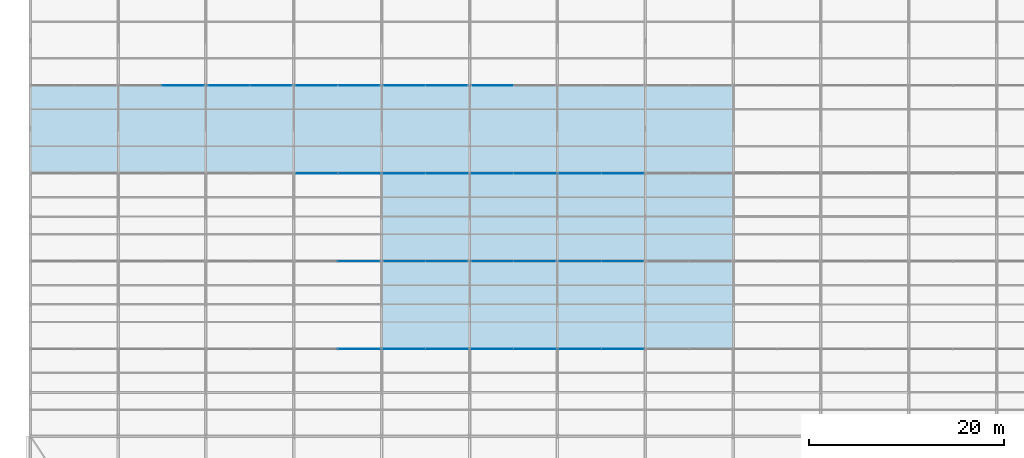
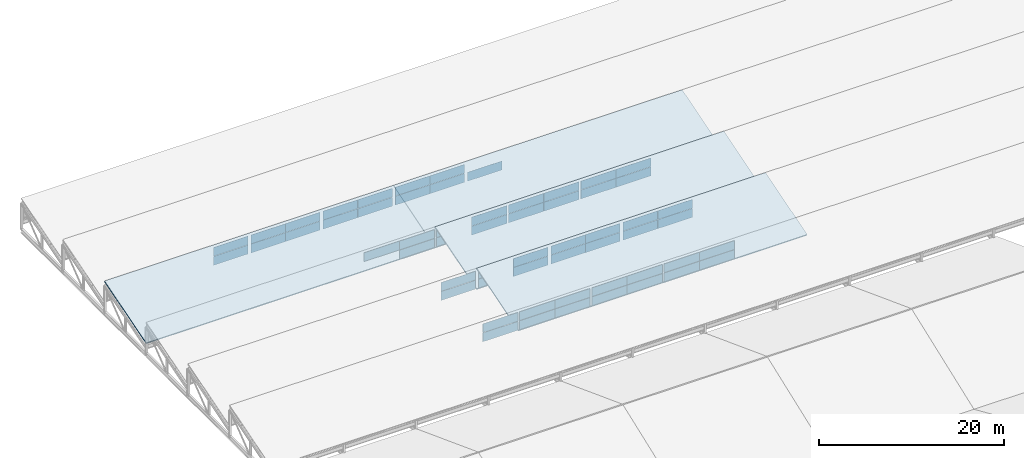
# One storey, part 110 of 163: 58 plates, 4 slabs, 17 elements without a shape of their own.
"""IFC4 building model written with IfcOpenShell, lengths in metres."""

from ifc_helpers import new_model, si_unit, direction, frame, origin, origin_2d, place, context, subcontext, project, spatial, polyline, rectangle, outline, extrude, material, layer, layer_set, type_object, element, aggregate, save


model = new_model("IFC4")

# Units and contexts
model_context = context("Model", 3, precision=1e-05, world=origin(), true_north=direction((0.0, 1.0)))
body_context = subcontext(model_context, "Body", "Model", "MODEL_VIEW")
ifc_project = project(units=[si_unit("LENGTHUNIT", "METRE"), si_unit("AREAUNIT", "SQUARE_METRE"), si_unit("VOLUMEUNIT", "CUBIC_METRE"), si_unit("PLANEANGLEUNIT", "RADIAN"), si_unit("MASSUNIT", "GRAM", prefix="KILO")], contexts=[model_context])

# Site, building, storey
site_placement = place(None, origin())
site = spatial("IfcSite", under=ifc_project, at=site_placement, CompositionType="ELEMENT")
building_placement = place(site_placement, origin())
building = spatial("IfcBuilding", under=site, at=building_placement, Name="Tharagai Park Tramway Depot", CompositionType="ELEMENT")
storey_placement = place(building_placement, frame((0.0, 0.0, 8.39990234375)))
storey = spatial("IfcBuildingStorey", under=building, at=storey_placement, Name="L02", CompositionType="ELEMENT", Elevation=8.39990234375)

# Curtain wall, plates
ifc_material_1 = material(Name="Anodised aluminium", Category="aluminium")
curtain_wall_type_1 = type_object("IfcCurtainWallType", Name="CW-04", PredefinedType="NOTDEFINED", material=ifc_material_1)
curtain_wall_1_placement = place(storey_placement, origin())
curtain_wall_1 = element("IfcCurtainWall", 1, at=curtain_wall_1_placement, inside=storey, type_object=curtain_wall_type_1, Name="Sawtooth North-Light Clerestory CW-04", PredefinedType="NOTDEFINED")
ifc_material_2 = material(Name="Laminated solar-control glass", Category="glass")
ifc_layer_1 = layer(ifc_material_2, 0.028076171875)
ifc_layer_set_1 = layer_set([ifc_layer_1], Name="Laminated solar-control glass")
plate_type = type_object("IfcPlateType", Name="CP-02", PredefinedType="CURTAIN_PANEL", material=ifc_layer_set_1)
plate_1_placement = place(storey_placement, frame((33.699951171875, 98.919921875, 1.28515625), z_axis=(0.0, 0.0, 1.0), x_axis=(1.0, 0.0, 0.0)))
plate_1 = element("IfcPlate", 2, at=plate_1_placement, type_object=plate_type, Name="Sawtooth North-Light Clerestory Glazed Panel 2.1", PredefinedType="CURTAIN_PANEL", context=body_context, shape_type="SweptSolid", body=[
    extrude(rectangle(XDim=4.3798828125, YDim=0.028076171875, at=origin_2d()), origin(), (0.0, 0.0, 1.0), 1.168701171875),
])
plate_2_placement = place(storey_placement, frame((33.699951171875, 98.919921875, 2.49365234375), z_axis=(0.0, 0.0, 1.0), x_axis=(1.0, 0.0, 0.0)))
plate_2 = element("IfcPlate", 3, at=plate_2_placement, type_object=plate_type, Name="Sawtooth North-Light Clerestory Glazed Panel 2.2", PredefinedType="CURTAIN_PANEL", context=body_context, shape_type="SweptSolid", body=[
    extrude(rectangle(XDim=4.3798828125, YDim=0.028076171875, at=origin_2d()), origin(), (0.0, 0.0, 1.0), 1.148681640625),
])
aggregate(curtain_wall_1, [plate_1, plate_2])

curtain_wall_2_placement = place(storey_placement, origin())
curtain_wall_2 = element("IfcCurtainWall", 4, at=curtain_wall_2_placement, inside=storey, type_object=curtain_wall_type_1, Name="Sawtooth North-Light Clerestory CW-04", PredefinedType="NOTDEFINED")
plate_3_placement = place(storey_placement, frame((38.300048828125, 98.919921875, 1.28515625), z_axis=(0.0, 0.0, 1.0), x_axis=(1.0, 0.0, 0.0)))
plate_3 = element("IfcPlate", 5, at=plate_3_placement, type_object=plate_type, Name="Sawtooth North-Light Clerestory Glazed Panel 1.1", PredefinedType="CURTAIN_PANEL", context=body_context, shape_type="SweptSolid", body=[
    extrude(rectangle(XDim=4.3798828125, YDim=0.028076171875, at=origin_2d()), origin(), (0.0, 0.0, 1.0), 1.168701171875),
])
plate_4_placement = place(storey_placement, frame((38.300048828125, 98.919921875, 2.49365234375), z_axis=(0.0, 0.0, 1.0), x_axis=(1.0, 0.0, 0.0)))
plate_4 = element("IfcPlate", 6, at=plate_4_placement, type_object=plate_type, Name="Sawtooth North-Light Clerestory Glazed Panel 1.2", PredefinedType="CURTAIN_PANEL", context=body_context, shape_type="SweptSolid", body=[
    extrude(rectangle(XDim=4.3798828125, YDim=0.028076171875, at=origin_2d()), origin(), (0.0, 0.0, 1.0), 1.148681640625),
])
plate_5_placement = place(storey_placement, frame((42.699951171875, 98.919921875, 1.28515625), z_axis=(0.0, 0.0, 1.0), x_axis=(1.0, 0.0, 0.0)))
plate_5 = element("IfcPlate", 7, at=plate_5_placement, type_object=plate_type, Name="Sawtooth North-Light Clerestory Glazed Panel 2.1", PredefinedType="CURTAIN_PANEL", context=body_context, shape_type="SweptSolid", body=[
    extrude(rectangle(XDim=4.3798828125, YDim=0.028076171875, at=origin_2d()), origin(), (0.0, 0.0, 1.0), 1.168701171875),
])
plate_6_placement = place(storey_placement, frame((42.699951171875, 98.919921875, 2.49365234375), z_axis=(0.0, 0.0, 1.0), x_axis=(1.0, 0.0, 0.0)))
plate_6 = element("IfcPlate", 8, at=plate_6_placement, type_object=plate_type, Name="Sawtooth North-Light Clerestory Glazed Panel 2.2", PredefinedType="CURTAIN_PANEL", context=body_context, shape_type="SweptSolid", body=[
    extrude(rectangle(XDim=4.3798828125, YDim=0.028076171875, at=origin_2d()), origin(), (0.0, 0.0, 1.0), 1.148681640625),
])
aggregate(curtain_wall_2, [plate_3, plate_4, plate_5, plate_6])

curtain_wall_3_placement = place(storey_placement, origin())
curtain_wall_3 = element("IfcCurtainWall", 9, at=curtain_wall_3_placement, inside=storey, type_object=curtain_wall_type_1, Name="Sawtooth North-Light Clerestory CW-04", PredefinedType="NOTDEFINED")
plate_7_placement = place(storey_placement, frame((47.300048828125, 98.919921875, 1.28515625), z_axis=(0.0, 0.0, 1.0), x_axis=(1.0, 0.0, 0.0)))
plate_7 = element("IfcPlate", 10, at=plate_7_placement, type_object=plate_type, Name="Sawtooth North-Light Clerestory Glazed Panel 1.1", PredefinedType="CURTAIN_PANEL", context=body_context, shape_type="SweptSolid", body=[
    extrude(rectangle(XDim=4.3798828125, YDim=0.028076171875, at=origin_2d()), origin(), (0.0, 0.0, 1.0), 1.168701171875),
])
plate_8_placement = place(storey_placement, frame((47.300048828125, 98.919921875, 2.49365234375), z_axis=(0.0, 0.0, 1.0), x_axis=(1.0, 0.0, 0.0)))
plate_8 = element("IfcPlate", 11, at=plate_8_placement, type_object=plate_type, Name="Sawtooth North-Light Clerestory Glazed Panel 1.2", PredefinedType="CURTAIN_PANEL", context=body_context, shape_type="SweptSolid", body=[
    extrude(rectangle(XDim=4.3798828125, YDim=0.028076171875, at=origin_2d()), origin(), (0.0, 0.0, 1.0), 1.148681640625),
])
plate_9_placement = place(storey_placement, frame((51.699951171875, 98.919921875, 1.28515625), z_axis=(0.0, 0.0, 1.0), x_axis=(1.0, 0.0, 0.0)))
plate_9 = element("IfcPlate", 12, at=plate_9_placement, type_object=plate_type, Name="Sawtooth North-Light Clerestory Glazed Panel 2.1", PredefinedType="CURTAIN_PANEL", context=body_context, shape_type="SweptSolid", body=[
    extrude(rectangle(XDim=4.3798828125, YDim=0.028076171875, at=origin_2d()), origin(), (0.0, 0.0, 1.0), 1.168701171875),
])
plate_10_placement = place(storey_placement, frame((51.699951171875, 98.919921875, 2.49365234375), z_axis=(0.0, 0.0, 1.0), x_axis=(1.0, 0.0, 0.0)))
plate_10 = element("IfcPlate", 13, at=plate_10_placement, type_object=plate_type, Name="Sawtooth North-Light Clerestory Glazed Panel 2.2", PredefinedType="CURTAIN_PANEL", context=body_context, shape_type="SweptSolid", body=[
    extrude(rectangle(XDim=4.3798828125, YDim=0.028076171875, at=origin_2d()), origin(), (0.0, 0.0, 1.0), 1.148681640625),
])
aggregate(curtain_wall_3, [plate_7, plate_8, plate_9, plate_10])

curtain_wall_4_placement = place(storey_placement, origin())
curtain_wall_4 = element("IfcCurtainWall", 14, at=curtain_wall_4_placement, inside=storey, type_object=curtain_wall_type_1, Name="Sawtooth North-Light Clerestory CW-04", PredefinedType="NOTDEFINED")
plate_11_placement = place(storey_placement, frame((56.300048828125, 98.919921875, 1.28515625), z_axis=(0.0, 0.0, 1.0), x_axis=(1.0, 0.0, 0.0)))
plate_11 = element("IfcPlate", 15, at=plate_11_placement, type_object=plate_type, Name="Sawtooth North-Light Clerestory Glazed Panel 1.1", PredefinedType="CURTAIN_PANEL", context=body_context, shape_type="SweptSolid", body=[
    extrude(rectangle(XDim=4.3798828125, YDim=0.028076171875, at=origin_2d()), origin(), (0.0, 0.0, 1.0), 1.168701171875),
])
plate_12_placement = place(storey_placement, frame((56.300048828125, 98.919921875, 2.49365234375), z_axis=(0.0, 0.0, 1.0), x_axis=(1.0, 0.0, 0.0)))
plate_12 = element("IfcPlate", 16, at=plate_12_placement, type_object=plate_type, Name="Sawtooth North-Light Clerestory Glazed Panel 1.2", PredefinedType="CURTAIN_PANEL", context=body_context, shape_type="SweptSolid", body=[
    extrude(rectangle(XDim=4.3798828125, YDim=0.028076171875, at=origin_2d()), origin(), (0.0, 0.0, 1.0), 1.148681640625),
])
plate_13_placement = place(storey_placement, frame((60.699951171875, 98.919921875, 1.28515625), z_axis=(0.0, 0.0, 1.0), x_axis=(1.0, 0.0, 0.0)))
plate_13 = element("IfcPlate", 17, at=plate_13_placement, type_object=plate_type, Name="Sawtooth North-Light Clerestory Glazed Panel 2.1", PredefinedType="CURTAIN_PANEL", context=body_context, shape_type="SweptSolid", body=[
    extrude(rectangle(XDim=4.3798828125, YDim=0.028076171875, at=origin_2d()), origin(), (0.0, 0.0, 1.0), 1.168701171875),
])
plate_14_placement = place(storey_placement, frame((60.699951171875, 98.919921875, 2.49365234375), z_axis=(0.0, 0.0, 1.0), x_axis=(1.0, 0.0, 0.0)))
plate_14 = element("IfcPlate", 18, at=plate_14_placement, type_object=plate_type, Name="Sawtooth North-Light Clerestory Glazed Panel 2.2", PredefinedType="CURTAIN_PANEL", context=body_context, shape_type="SweptSolid", body=[
    extrude(rectangle(XDim=4.3798828125, YDim=0.028076171875, at=origin_2d()), origin(), (0.0, 0.0, 1.0), 1.148681640625),
])
aggregate(curtain_wall_4, [plate_11, plate_12, plate_13, plate_14])

curtain_wall_type_2 = type_object("IfcCurtainWallType", Name="CW-03", PredefinedType="NOTDEFINED", material=ifc_material_1)
curtain_wall_5_placement = place(storey_placement, origin())
curtain_wall_5 = element("IfcCurtainWall", 19, at=curtain_wall_5_placement, inside=storey, type_object=curtain_wall_type_2, Name="Sawtooth North-Light Clerestory CW-03", PredefinedType="NOTDEFINED")
plate_15_placement = place(storey_placement, frame((33.659912109375, 107.919921875, 1.28515625), z_axis=(0.0, 0.0, 1.0), x_axis=(1.0, 0.0, 0.0)))
plate_15 = element("IfcPlate", 20, at=plate_15_placement, type_object=plate_type, Name="Sawtooth North-Light Clerestory Glazed Panel 2.1", PredefinedType="CURTAIN_PANEL", context=body_context, shape_type="SweptSolid", body=[
    extrude(rectangle(XDim=4.300048828125, YDim=0.028076171875, at=origin_2d()), origin(), (0.0, 0.0, 1.0), 1.168701171875),
])
plate_16_placement = place(storey_placement, frame((33.659912109375, 107.919921875, 2.49365234375), z_axis=(0.0, 0.0, 1.0), x_axis=(1.0, 0.0, 0.0)))
plate_16 = element("IfcPlate", 21, at=plate_16_placement, type_object=plate_type, Name="Sawtooth North-Light Clerestory Glazed Panel 2.2", PredefinedType="CURTAIN_PANEL", context=body_context, shape_type="SweptSolid", body=[
    extrude(rectangle(XDim=4.300048828125, YDim=0.028076171875, at=origin_2d()), origin(), (0.0, 0.0, 1.0), 1.148681640625),
])
aggregate(curtain_wall_5, [plate_15, plate_16])

curtain_wall_6_placement = place(storey_placement, origin())
curtain_wall_6 = element("IfcCurtainWall", 22, at=curtain_wall_6_placement, inside=storey, type_object=curtain_wall_type_2, Name="Sawtooth North-Light Clerestory CW-03", PredefinedType="NOTDEFINED")
plate_17_placement = place(storey_placement, frame((38.340087890625, 107.919921875, 1.28515625), z_axis=(0.0, 0.0, 1.0), x_axis=(1.0, 0.0, 0.0)))
plate_17 = element("IfcPlate", 23, at=plate_17_placement, type_object=plate_type, Name="Sawtooth North-Light Clerestory Glazed Panel 1.1", PredefinedType="CURTAIN_PANEL", context=body_context, shape_type="SweptSolid", body=[
    extrude(rectangle(XDim=4.300048828125, YDim=0.028076171875, at=origin_2d()), origin(), (0.0, 0.0, 1.0), 1.168701171875),
])
plate_18_placement = place(storey_placement, frame((38.340087890625, 107.919921875, 2.49365234375), z_axis=(0.0, 0.0, 1.0), x_axis=(1.0, 0.0, 0.0)))
plate_18 = element("IfcPlate", 24, at=plate_18_placement, type_object=plate_type, Name="Sawtooth North-Light Clerestory Glazed Panel 1.2", PredefinedType="CURTAIN_PANEL", context=body_context, shape_type="SweptSolid", body=[
    extrude(rectangle(XDim=4.300048828125, YDim=0.028076171875, at=origin_2d()), origin(), (0.0, 0.0, 1.0), 1.148681640625),
])
plate_19_placement = place(storey_placement, frame((42.659912109375, 107.919921875, 1.28515625), z_axis=(0.0, 0.0, 1.0), x_axis=(1.0, 0.0, 0.0)))
plate_19 = element("IfcPlate", 25, at=plate_19_placement, type_object=plate_type, Name="Sawtooth North-Light Clerestory Glazed Panel 2.1", PredefinedType="CURTAIN_PANEL", context=body_context, shape_type="SweptSolid", body=[
    extrude(rectangle(XDim=4.300048828125, YDim=0.028076171875, at=origin_2d()), origin(), (0.0, 0.0, 1.0), 1.168701171875),
])
plate_20_placement = place(storey_placement, frame((42.659912109375, 107.919921875, 2.49365234375), z_axis=(0.0, 0.0, 1.0), x_axis=(1.0, 0.0, 0.0)))
plate_20 = element("IfcPlate", 26, at=plate_20_placement, type_object=plate_type, Name="Sawtooth North-Light Clerestory Glazed Panel 2.2", PredefinedType="CURTAIN_PANEL", context=body_context, shape_type="SweptSolid", body=[
    extrude(rectangle(XDim=4.300048828125, YDim=0.028076171875, at=origin_2d()), origin(), (0.0, 0.0, 1.0), 1.148681640625),
])
aggregate(curtain_wall_6, [plate_17, plate_18, plate_19, plate_20])

curtain_wall_7_placement = place(storey_placement, origin())
curtain_wall_7 = element("IfcCurtainWall", 27, at=curtain_wall_7_placement, inside=storey, type_object=curtain_wall_type_2, Name="Sawtooth North-Light Clerestory CW-03", PredefinedType="NOTDEFINED")
plate_21_placement = place(storey_placement, frame((47.340087890625, 107.919921875, 1.28515625), z_axis=(0.0, 0.0, 1.0), x_axis=(1.0, 0.0, 0.0)))
plate_21 = element("IfcPlate", 28, at=plate_21_placement, type_object=plate_type, Name="Sawtooth North-Light Clerestory Glazed Panel 1.1", PredefinedType="CURTAIN_PANEL", context=body_context, shape_type="SweptSolid", body=[
    extrude(rectangle(XDim=4.300048828125, YDim=0.028076171875, at=origin_2d()), origin(), (0.0, 0.0, 1.0), 1.168701171875),
])
plate_22_placement = place(storey_placement, frame((47.340087890625, 107.919921875, 2.49365234375), z_axis=(0.0, 0.0, 1.0), x_axis=(1.0, 0.0, 0.0)))
plate_22 = element("IfcPlate", 29, at=plate_22_placement, type_object=plate_type, Name="Sawtooth North-Light Clerestory Glazed Panel 1.2", PredefinedType="CURTAIN_PANEL", context=body_context, shape_type="SweptSolid", body=[
    extrude(rectangle(XDim=4.300048828125, YDim=0.028076171875, at=origin_2d()), origin(), (0.0, 0.0, 1.0), 1.148681640625),
])
plate_23_placement = place(storey_placement, frame((51.659912109375, 107.919921875, 1.28515625), z_axis=(0.0, 0.0, 1.0), x_axis=(1.0, 0.0, 0.0)))
plate_23 = element("IfcPlate", 30, at=plate_23_placement, type_object=plate_type, Name="Sawtooth North-Light Clerestory Glazed Panel 2.1", PredefinedType="CURTAIN_PANEL", context=body_context, shape_type="SweptSolid", body=[
    extrude(rectangle(XDim=4.300048828125, YDim=0.028076171875, at=origin_2d()), origin(), (0.0, 0.0, 1.0), 1.168701171875),
])
plate_24_placement = place(storey_placement, frame((51.659912109375, 107.919921875, 2.49365234375), z_axis=(0.0, 0.0, 1.0), x_axis=(1.0, 0.0, 0.0)))
plate_24 = element("IfcPlate", 31, at=plate_24_placement, type_object=plate_type, Name="Sawtooth North-Light Clerestory Glazed Panel 2.2", PredefinedType="CURTAIN_PANEL", context=body_context, shape_type="SweptSolid", body=[
    extrude(rectangle(XDim=4.300048828125, YDim=0.028076171875, at=origin_2d()), origin(), (0.0, 0.0, 1.0), 1.148681640625),
])
aggregate(curtain_wall_7, [plate_21, plate_22, plate_23, plate_24])

curtain_wall_8_placement = place(storey_placement, origin())
curtain_wall_8 = element("IfcCurtainWall", 32, at=curtain_wall_8_placement, inside=storey, type_object=curtain_wall_type_2, Name="Sawtooth North-Light Clerestory CW-03", PredefinedType="NOTDEFINED")
plate_25_placement = place(storey_placement, frame((56.340087890625, 107.919921875, 1.28515625), z_axis=(0.0, 0.0, 1.0), x_axis=(1.0, 0.0, 0.0)))
plate_25 = element("IfcPlate", 33, at=plate_25_placement, type_object=plate_type, Name="Sawtooth North-Light Clerestory Glazed Panel 1.1", PredefinedType="CURTAIN_PANEL", context=body_context, shape_type="SweptSolid", body=[
    extrude(rectangle(XDim=4.300048828125, YDim=0.028076171875, at=origin_2d()), origin(), (0.0, 0.0, 1.0), 1.168701171875),
])
plate_26_placement = place(storey_placement, frame((56.340087890625, 107.919921875, 2.49365234375), z_axis=(0.0, 0.0, 1.0), x_axis=(1.0, 0.0, 0.0)))
plate_26 = element("IfcPlate", 34, at=plate_26_placement, type_object=plate_type, Name="Sawtooth North-Light Clerestory Glazed Panel 1.2", PredefinedType="CURTAIN_PANEL", context=body_context, shape_type="SweptSolid", body=[
    extrude(rectangle(XDim=4.300048828125, YDim=0.028076171875, at=origin_2d()), origin(), (0.0, 0.0, 1.0), 1.148681640625),
])
plate_27_placement = place(storey_placement, frame((60.659912109375, 107.919921875, 1.28515625), z_axis=(0.0, 0.0, 1.0), x_axis=(1.0, 0.0, 0.0)))
plate_27 = element("IfcPlate", 35, at=plate_27_placement, type_object=plate_type, Name="Sawtooth North-Light Clerestory Glazed Panel 2.1", PredefinedType="CURTAIN_PANEL", context=body_context, shape_type="SweptSolid", body=[
    extrude(rectangle(XDim=4.300048828125, YDim=0.028076171875, at=origin_2d()), origin(), (0.0, 0.0, 1.0), 1.168701171875),
])
plate_28_placement = place(storey_placement, frame((60.659912109375, 107.919921875, 2.49365234375), z_axis=(0.0, 0.0, 1.0), x_axis=(1.0, 0.0, 0.0)))
plate_28 = element("IfcPlate", 36, at=plate_28_placement, type_object=plate_type, Name="Sawtooth North-Light Clerestory Glazed Panel 2.2", PredefinedType="CURTAIN_PANEL", context=body_context, shape_type="SweptSolid", body=[
    extrude(rectangle(XDim=4.300048828125, YDim=0.028076171875, at=origin_2d()), origin(), (0.0, 0.0, 1.0), 1.148681640625),
])
aggregate(curtain_wall_8, [plate_25, plate_26, plate_27, plate_28])

curtain_wall_9_placement = place(storey_placement, origin())
curtain_wall_9 = element("IfcCurtainWall", 37, at=curtain_wall_9_placement, inside=storey, type_object=curtain_wall_type_1, Name="Sawtooth North-Light Clerestory CW-04", PredefinedType="NOTDEFINED")
plate_29_placement = place(storey_placement, frame((29.300048828125, 116.919921875, 2.49365234375), z_axis=(0.0, 0.0, 1.0), x_axis=(1.0, 0.0, 0.0)))
plate_29 = element("IfcPlate", 38, at=plate_29_placement, type_object=plate_type, Name="Sawtooth North-Light Clerestory Glazed Panel 1.2", PredefinedType="CURTAIN_PANEL", context=body_context, shape_type="SweptSolid", body=[
    extrude(rectangle(XDim=4.3798828125, YDim=0.028076171875, at=origin_2d()), origin(), (0.0, 0.0, 1.0), 1.148681640625),
])
plate_30_placement = place(storey_placement, frame((33.699951171875, 116.919921875, 1.28515625), z_axis=(0.0, 0.0, 1.0), x_axis=(1.0, 0.0, 0.0)))
plate_30 = element("IfcPlate", 39, at=plate_30_placement, type_object=plate_type, Name="Sawtooth North-Light Clerestory Glazed Panel 2.1", PredefinedType="CURTAIN_PANEL", context=body_context, shape_type="SweptSolid", body=[
    extrude(rectangle(XDim=4.3798828125, YDim=0.028076171875, at=origin_2d()), origin(), (0.0, 0.0, 1.0), 1.168701171875),
])
plate_31_placement = place(storey_placement, frame((33.699951171875, 116.919921875, 2.49365234375), z_axis=(0.0, 0.0, 1.0), x_axis=(1.0, 0.0, 0.0)))
plate_31 = element("IfcPlate", 40, at=plate_31_placement, type_object=plate_type, Name="Sawtooth North-Light Clerestory Glazed Panel 2.2", PredefinedType="CURTAIN_PANEL", context=body_context, shape_type="SweptSolid", body=[
    extrude(rectangle(XDim=4.3798828125, YDim=0.028076171875, at=origin_2d()), origin(), (0.0, 0.0, 1.0), 1.148681640625),
])
aggregate(curtain_wall_9, [plate_29, plate_30, plate_31])

curtain_wall_10_placement = place(storey_placement, origin())
curtain_wall_10 = element("IfcCurtainWall", 41, at=curtain_wall_10_placement, inside=storey, type_object=curtain_wall_type_1, Name="Sawtooth North-Light Clerestory CW-04", PredefinedType="NOTDEFINED")
plate_32_placement = place(storey_placement, frame((38.300048828125, 116.919921875, 1.28515625), z_axis=(0.0, 0.0, 1.0), x_axis=(1.0, 0.0, 0.0)))
plate_32 = element("IfcPlate", 42, at=plate_32_placement, type_object=plate_type, Name="Sawtooth North-Light Clerestory Glazed Panel 1.1", PredefinedType="CURTAIN_PANEL", context=body_context, shape_type="SweptSolid", body=[
    extrude(rectangle(XDim=4.3798828125, YDim=0.028076171875, at=origin_2d()), origin(), (0.0, 0.0, 1.0), 1.168701171875),
])
plate_33_placement = place(storey_placement, frame((38.300048828125, 116.919921875, 2.49365234375), z_axis=(0.0, 0.0, 1.0), x_axis=(1.0, 0.0, 0.0)))
plate_33 = element("IfcPlate", 43, at=plate_33_placement, type_object=plate_type, Name="Sawtooth North-Light Clerestory Glazed Panel 1.2", PredefinedType="CURTAIN_PANEL", context=body_context, shape_type="SweptSolid", body=[
    extrude(rectangle(XDim=4.3798828125, YDim=0.028076171875, at=origin_2d()), origin(), (0.0, 0.0, 1.0), 1.148681640625),
])
plate_34_placement = place(storey_placement, frame((42.699951171875, 116.919921875, 1.28515625), z_axis=(0.0, 0.0, 1.0), x_axis=(1.0, 0.0, 0.0)))
plate_34 = element("IfcPlate", 44, at=plate_34_placement, type_object=plate_type, Name="Sawtooth North-Light Clerestory Glazed Panel 2.1", PredefinedType="CURTAIN_PANEL", context=body_context, shape_type="SweptSolid", body=[
    extrude(rectangle(XDim=4.3798828125, YDim=0.028076171875, at=origin_2d()), origin(), (0.0, 0.0, 1.0), 1.168701171875),
])
plate_35_placement = place(storey_placement, frame((42.699951171875, 116.919921875, 2.49365234375), z_axis=(0.0, 0.0, 1.0), x_axis=(1.0, 0.0, 0.0)))
plate_35 = element("IfcPlate", 45, at=plate_35_placement, type_object=plate_type, Name="Sawtooth North-Light Clerestory Glazed Panel 2.2", PredefinedType="CURTAIN_PANEL", context=body_context, shape_type="SweptSolid", body=[
    extrude(rectangle(XDim=4.3798828125, YDim=0.028076171875, at=origin_2d()), origin(), (0.0, 0.0, 1.0), 1.148681640625),
])
aggregate(curtain_wall_10, [plate_32, plate_33, plate_34, plate_35])

curtain_wall_11_placement = place(storey_placement, origin())
curtain_wall_11 = element("IfcCurtainWall", 46, at=curtain_wall_11_placement, inside=storey, type_object=curtain_wall_type_1, Name="Sawtooth North-Light Clerestory CW-04", PredefinedType="NOTDEFINED")
plate_36_placement = place(storey_placement, frame((47.300048828125, 116.919921875, 1.28515625), z_axis=(0.0, 0.0, 1.0), x_axis=(1.0, 0.0, 0.0)))
plate_36 = element("IfcPlate", 47, at=plate_36_placement, type_object=plate_type, Name="Sawtooth North-Light Clerestory Glazed Panel 1.1", PredefinedType="CURTAIN_PANEL", context=body_context, shape_type="SweptSolid", body=[
    extrude(rectangle(XDim=4.3798828125, YDim=0.028076171875, at=origin_2d()), origin(), (0.0, 0.0, 1.0), 1.168701171875),
])
plate_37_placement = place(storey_placement, frame((47.300048828125, 116.919921875, 2.49365234375), z_axis=(0.0, 0.0, 1.0), x_axis=(1.0, 0.0, 0.0)))
plate_37 = element("IfcPlate", 48, at=plate_37_placement, type_object=plate_type, Name="Sawtooth North-Light Clerestory Glazed Panel 1.2", PredefinedType="CURTAIN_PANEL", context=body_context, shape_type="SweptSolid", body=[
    extrude(rectangle(XDim=4.3798828125, YDim=0.028076171875, at=origin_2d()), origin(), (0.0, 0.0, 1.0), 1.148681640625),
])
plate_38_placement = place(storey_placement, frame((51.699951171875, 116.919921875, 1.28515625), z_axis=(0.0, 0.0, 1.0), x_axis=(1.0, 0.0, 0.0)))
plate_38 = element("IfcPlate", 49, at=plate_38_placement, type_object=plate_type, Name="Sawtooth North-Light Clerestory Glazed Panel 2.1", PredefinedType="CURTAIN_PANEL", context=body_context, shape_type="SweptSolid", body=[
    extrude(rectangle(XDim=4.3798828125, YDim=0.028076171875, at=origin_2d()), origin(), (0.0, 0.0, 1.0), 1.168701171875),
])
plate_39_placement = place(storey_placement, frame((51.699951171875, 116.919921875, 2.49365234375), z_axis=(0.0, 0.0, 1.0), x_axis=(1.0, 0.0, 0.0)))
plate_39 = element("IfcPlate", 50, at=plate_39_placement, type_object=plate_type, Name="Sawtooth North-Light Clerestory Glazed Panel 2.2", PredefinedType="CURTAIN_PANEL", context=body_context, shape_type="SweptSolid", body=[
    extrude(rectangle(XDim=4.3798828125, YDim=0.028076171875, at=origin_2d()), origin(), (0.0, 0.0, 1.0), 1.148681640625),
])
aggregate(curtain_wall_11, [plate_36, plate_37, plate_38, plate_39])

curtain_wall_12_placement = place(storey_placement, origin())
curtain_wall_12 = element("IfcCurtainWall", 51, at=curtain_wall_12_placement, inside=storey, type_object=curtain_wall_type_1, Name="Sawtooth North-Light Clerestory CW-04", PredefinedType="NOTDEFINED")
plate_40_placement = place(storey_placement, frame((56.300048828125, 116.919921875, 1.28515625), z_axis=(0.0, 0.0, 1.0), x_axis=(1.0, 0.0, 0.0)))
plate_40 = element("IfcPlate", 52, at=plate_40_placement, type_object=plate_type, Name="Sawtooth North-Light Clerestory Glazed Panel 1.1", PredefinedType="CURTAIN_PANEL", context=body_context, shape_type="SweptSolid", body=[
    extrude(rectangle(XDim=4.3798828125, YDim=0.028076171875, at=origin_2d()), origin(), (0.0, 0.0, 1.0), 1.168701171875),
])
plate_41_placement = place(storey_placement, frame((56.300048828125, 116.919921875, 2.49365234375), z_axis=(0.0, 0.0, 1.0), x_axis=(1.0, 0.0, 0.0)))
plate_41 = element("IfcPlate", 53, at=plate_41_placement, type_object=plate_type, Name="Sawtooth North-Light Clerestory Glazed Panel 1.2", PredefinedType="CURTAIN_PANEL", context=body_context, shape_type="SweptSolid", body=[
    extrude(rectangle(XDim=4.3798828125, YDim=0.028076171875, at=origin_2d()), origin(), (0.0, 0.0, 1.0), 1.148681640625),
])
plate_42_placement = place(storey_placement, frame((60.699951171875, 116.919921875, 1.28515625), z_axis=(0.0, 0.0, 1.0), x_axis=(1.0, 0.0, 0.0)))
plate_42 = element("IfcPlate", 54, at=plate_42_placement, type_object=plate_type, Name="Sawtooth North-Light Clerestory Glazed Panel 2.1", PredefinedType="CURTAIN_PANEL", context=body_context, shape_type="SweptSolid", body=[
    extrude(rectangle(XDim=4.3798828125, YDim=0.028076171875, at=origin_2d()), origin(), (0.0, 0.0, 1.0), 1.168701171875),
])
plate_43_placement = place(storey_placement, frame((60.699951171875, 116.919921875, 2.49365234375), z_axis=(0.0, 0.0, 1.0), x_axis=(1.0, 0.0, 0.0)))
plate_43 = element("IfcPlate", 55, at=plate_43_placement, type_object=plate_type, Name="Sawtooth North-Light Clerestory Glazed Panel 2.2", PredefinedType="CURTAIN_PANEL", context=body_context, shape_type="SweptSolid", body=[
    extrude(rectangle(XDim=4.3798828125, YDim=0.028076171875, at=origin_2d()), origin(), (0.0, 0.0, 1.0), 1.148681640625),
])
aggregate(curtain_wall_12, [plate_40, plate_41, plate_42, plate_43])

curtain_wall_13_placement = place(storey_placement, origin())
curtain_wall_13 = element("IfcCurtainWall", 56, at=curtain_wall_13_placement, inside=storey, type_object=curtain_wall_type_2, Name="Sawtooth North-Light Clerestory CW-03", PredefinedType="NOTDEFINED")
plate_44_placement = place(storey_placement, frame((15.659912109375, 125.919921875, 1.28515625), z_axis=(0.0, 0.0, 1.0), x_axis=(1.0, 0.0, 0.0)))
plate_44 = element("IfcPlate", 57, at=plate_44_placement, type_object=plate_type, Name="Sawtooth North-Light Clerestory Glazed Panel 2.1", PredefinedType="CURTAIN_PANEL", context=body_context, shape_type="SweptSolid", body=[
    extrude(rectangle(XDim=4.300048828125, YDim=0.028076171875, at=origin_2d()), origin(), (0.0, 0.0, 1.0), 1.168701171875),
])
plate_45_placement = place(storey_placement, frame((15.659912109375, 125.919921875, 2.49365234375), z_axis=(0.0, 0.0, 1.0), x_axis=(1.0, 0.0, 0.0)))
plate_45 = element("IfcPlate", 58, at=plate_45_placement, type_object=plate_type, Name="Sawtooth North-Light Clerestory Glazed Panel 2.2", PredefinedType="CURTAIN_PANEL", context=body_context, shape_type="SweptSolid", body=[
    extrude(rectangle(XDim=4.300048828125, YDim=0.028076171875, at=origin_2d()), origin(), (0.0, 0.0, 1.0), 1.148681640625),
])
aggregate(curtain_wall_13, [plate_44, plate_45])

curtain_wall_14_placement = place(storey_placement, origin())
curtain_wall_14 = element("IfcCurtainWall", 59, at=curtain_wall_14_placement, inside=storey, type_object=curtain_wall_type_2, Name="Sawtooth North-Light Clerestory CW-03", PredefinedType="NOTDEFINED")
plate_46_placement = place(storey_placement, frame((20.340087890625, 125.919921875, 1.28515625), z_axis=(0.0, 0.0, 1.0), x_axis=(1.0, 0.0, 0.0)))
plate_46 = element("IfcPlate", 60, at=plate_46_placement, type_object=plate_type, Name="Sawtooth North-Light Clerestory Glazed Panel 1.1", PredefinedType="CURTAIN_PANEL", context=body_context, shape_type="SweptSolid", body=[
    extrude(rectangle(XDim=4.300048828125, YDim=0.028076171875, at=origin_2d()), origin(), (0.0, 0.0, 1.0), 1.168701171875),
])
plate_47_placement = place(storey_placement, frame((20.340087890625, 125.919921875, 2.49365234375), z_axis=(0.0, 0.0, 1.0), x_axis=(1.0, 0.0, 0.0)))
plate_47 = element("IfcPlate", 61, at=plate_47_placement, type_object=plate_type, Name="Sawtooth North-Light Clerestory Glazed Panel 1.2", PredefinedType="CURTAIN_PANEL", context=body_context, shape_type="SweptSolid", body=[
    extrude(rectangle(XDim=4.300048828125, YDim=0.028076171875, at=origin_2d()), origin(), (0.0, 0.0, 1.0), 1.148681640625),
])
plate_48_placement = place(storey_placement, frame((24.659912109375, 125.919921875, 1.28515625), z_axis=(0.0, 0.0, 1.0), x_axis=(1.0, 0.0, 0.0)))
plate_48 = element("IfcPlate", 62, at=plate_48_placement, type_object=plate_type, Name="Sawtooth North-Light Clerestory Glazed Panel 2.1", PredefinedType="CURTAIN_PANEL", context=body_context, shape_type="SweptSolid", body=[
    extrude(rectangle(XDim=4.300048828125, YDim=0.028076171875, at=origin_2d()), origin(), (0.0, 0.0, 1.0), 1.168701171875),
])
plate_49_placement = place(storey_placement, frame((24.659912109375, 125.919921875, 2.49365234375), z_axis=(0.0, 0.0, 1.0), x_axis=(1.0, 0.0, 0.0)))
plate_49 = element("IfcPlate", 63, at=plate_49_placement, type_object=plate_type, Name="Sawtooth North-Light Clerestory Glazed Panel 2.2", PredefinedType="CURTAIN_PANEL", context=body_context, shape_type="SweptSolid", body=[
    extrude(rectangle(XDim=4.300048828125, YDim=0.028076171875, at=origin_2d()), origin(), (0.0, 0.0, 1.0), 1.148681640625),
])
aggregate(curtain_wall_14, [plate_46, plate_47, plate_48, plate_49])

curtain_wall_15_placement = place(storey_placement, origin())
curtain_wall_15 = element("IfcCurtainWall", 64, at=curtain_wall_15_placement, inside=storey, type_object=curtain_wall_type_2, Name="Sawtooth North-Light Clerestory CW-03", PredefinedType="NOTDEFINED")
plate_50_placement = place(storey_placement, frame((29.340087890625, 125.919921875, 1.28515625), z_axis=(0.0, 0.0, 1.0), x_axis=(1.0, 0.0, 0.0)))
plate_50 = element("IfcPlate", 65, at=plate_50_placement, type_object=plate_type, Name="Sawtooth North-Light Clerestory Glazed Panel 1.1", PredefinedType="CURTAIN_PANEL", context=body_context, shape_type="SweptSolid", body=[
    extrude(rectangle(XDim=4.300048828125, YDim=0.028076171875, at=origin_2d()), origin(), (0.0, 0.0, 1.0), 1.168701171875),
])
plate_51_placement = place(storey_placement, frame((29.340087890625, 125.919921875, 2.49365234375), z_axis=(0.0, 0.0, 1.0), x_axis=(1.0, 0.0, 0.0)))
plate_51 = element("IfcPlate", 66, at=plate_51_placement, type_object=plate_type, Name="Sawtooth North-Light Clerestory Glazed Panel 1.2", PredefinedType="CURTAIN_PANEL", context=body_context, shape_type="SweptSolid", body=[
    extrude(rectangle(XDim=4.300048828125, YDim=0.028076171875, at=origin_2d()), origin(), (0.0, 0.0, 1.0), 1.148681640625),
])
plate_52_placement = place(storey_placement, frame((33.659912109375, 125.919921875, 1.28515625), z_axis=(0.0, 0.0, 1.0), x_axis=(1.0, 0.0, 0.0)))
plate_52 = element("IfcPlate", 67, at=plate_52_placement, type_object=plate_type, Name="Sawtooth North-Light Clerestory Glazed Panel 2.1", PredefinedType="CURTAIN_PANEL", context=body_context, shape_type="SweptSolid", body=[
    extrude(rectangle(XDim=4.300048828125, YDim=0.028076171875, at=origin_2d()), origin(), (0.0, 0.0, 1.0), 1.168701171875),
])
plate_53_placement = place(storey_placement, frame((33.659912109375, 125.919921875, 2.49365234375), z_axis=(0.0, 0.0, 1.0), x_axis=(1.0, 0.0, 0.0)))
plate_53 = element("IfcPlate", 68, at=plate_53_placement, type_object=plate_type, Name="Sawtooth North-Light Clerestory Glazed Panel 2.2", PredefinedType="CURTAIN_PANEL", context=body_context, shape_type="SweptSolid", body=[
    extrude(rectangle(XDim=4.300048828125, YDim=0.028076171875, at=origin_2d()), origin(), (0.0, 0.0, 1.0), 1.148681640625),
])
aggregate(curtain_wall_15, [plate_50, plate_51, plate_52, plate_53])

curtain_wall_16_placement = place(storey_placement, origin())
curtain_wall_16 = element("IfcCurtainWall", 69, at=curtain_wall_16_placement, inside=storey, type_object=curtain_wall_type_2, Name="Sawtooth North-Light Clerestory CW-03", PredefinedType="NOTDEFINED")
plate_54_placement = place(storey_placement, frame((38.340087890625, 125.919921875, 1.28515625), z_axis=(0.0, 0.0, 1.0), x_axis=(1.0, 0.0, 0.0)))
plate_54 = element("IfcPlate", 70, at=plate_54_placement, type_object=plate_type, Name="Sawtooth North-Light Clerestory Glazed Panel 1.1", PredefinedType="CURTAIN_PANEL", context=body_context, shape_type="SweptSolid", body=[
    extrude(rectangle(XDim=4.300048828125, YDim=0.028076171875, at=origin_2d()), origin(), (0.0, 0.0, 1.0), 1.168701171875),
])
plate_55_placement = place(storey_placement, frame((38.340087890625, 125.919921875, 2.49365234375), z_axis=(0.0, 0.0, 1.0), x_axis=(1.0, 0.0, 0.0)))
plate_55 = element("IfcPlate", 71, at=plate_55_placement, type_object=plate_type, Name="Sawtooth North-Light Clerestory Glazed Panel 1.2", PredefinedType="CURTAIN_PANEL", context=body_context, shape_type="SweptSolid", body=[
    extrude(rectangle(XDim=4.300048828125, YDim=0.028076171875, at=origin_2d()), origin(), (0.0, 0.0, 1.0), 1.148681640625),
])
plate_56_placement = place(storey_placement, frame((42.659912109375, 125.919921875, 1.28515625), z_axis=(0.0, 0.0, 1.0), x_axis=(1.0, 0.0, 0.0)))
plate_56 = element("IfcPlate", 72, at=plate_56_placement, type_object=plate_type, Name="Sawtooth North-Light Clerestory Glazed Panel 2.1", PredefinedType="CURTAIN_PANEL", context=body_context, shape_type="SweptSolid", body=[
    extrude(rectangle(XDim=4.300048828125, YDim=0.028076171875, at=origin_2d()), origin(), (0.0, 0.0, 1.0), 1.168701171875),
])
plate_57_placement = place(storey_placement, frame((42.659912109375, 125.919921875, 2.49365234375), z_axis=(0.0, 0.0, 1.0), x_axis=(1.0, 0.0, 0.0)))
plate_57 = element("IfcPlate", 73, at=plate_57_placement, type_object=plate_type, Name="Sawtooth North-Light Clerestory Glazed Panel 2.2", PredefinedType="CURTAIN_PANEL", context=body_context, shape_type="SweptSolid", body=[
    extrude(rectangle(XDim=4.300048828125, YDim=0.028076171875, at=origin_2d()), origin(), (0.0, 0.0, 1.0), 1.148681640625),
])
aggregate(curtain_wall_16, [plate_54, plate_55, plate_56, plate_57])

# Curtain wall, plate
curtain_wall_17_placement = place(storey_placement, origin())
curtain_wall_17 = element("IfcCurtainWall", 74, at=curtain_wall_17_placement, inside=storey, type_object=curtain_wall_type_2, Name="Sawtooth North-Light Clerestory CW-03", PredefinedType="NOTDEFINED")
plate_58_placement = place(storey_placement, frame((47.340087890625, 125.919921875, 1.28515625), z_axis=(0.0, 0.0, 1.0), x_axis=(1.0, 0.0, 0.0)))
plate_58 = element("IfcPlate", 75, at=plate_58_placement, type_object=plate_type, Name="Sawtooth North-Light Clerestory Glazed Panel 1.1", PredefinedType="CURTAIN_PANEL", context=body_context, shape_type="SweptSolid", body=[
    extrude(rectangle(XDim=4.300048828125, YDim=0.028076171875, at=origin_2d()), origin(), (0.0, 0.0, 1.0), 1.168701171875),
])
aggregate(curtain_wall_17, [plate_58])

# Slabs
ifc_material_3 = material(Name="Concrete M35", Category="concrete")
ifc_layer_2 = layer(ifc_material_3, 0.159912109375)
ifc_layer_set_2 = layer_set([ifc_layer_2], Name="Concrete M35")
slab_type = type_object("IfcSlabType", Name="RS-04", PredefinedType="ROOF", material=ifc_layer_set_2)
for number, where, z_axis, x_axis, name in (
    (76, (36.0, 99.0, 1.2001953125), (0.0, -0.289034229425, 0.95731876312), (1.0, 0.0, 0.0), "V1 Sawtooth Tooth 2 Sloped Roof Slab 2"),
    (77, (36.0, 108.0, 1.2001953125), (0.0, -0.289034229425, 0.95731876312), (1.0, 0.0, 0.0), "V1 Sawtooth Tooth 3 Sloped Roof Slab 2"),
    (78, (0.0, 117.0, 1.2001953125), (0.0, -0.289034229425, 0.95731876312), (1.0, 0.0, 0.0), "V1 Sawtooth Tooth 4 Sloped Roof Slab 1"),
    (79, (36.0, 117.0, 1.2001953125), (0.0, -0.289034229425, 0.95731876312), (1.0, 0.0, 0.0), "V1 Sawtooth Tooth 4 Sloped Roof Slab 2"),
):
    element("IfcSlab", number, at=place(storey_placement, frame(where, z_axis=z_axis, x_axis=x_axis)), inside=storey, type_object=slab_type, Name=name, PredefinedType="ROOF", context=body_context, shape_type="SweptSolid", body=[
        extrude(outline(polyline([(0.0, 0.0), (36.0, 0.0), (36.0, 9.401257289340432), (0.0, 9.401257289340432), (0.0, 0.0)])), origin(), (0.0, 0.0, -1.0), 0.159912109375),
    ])

save(model, "model.ifc")
